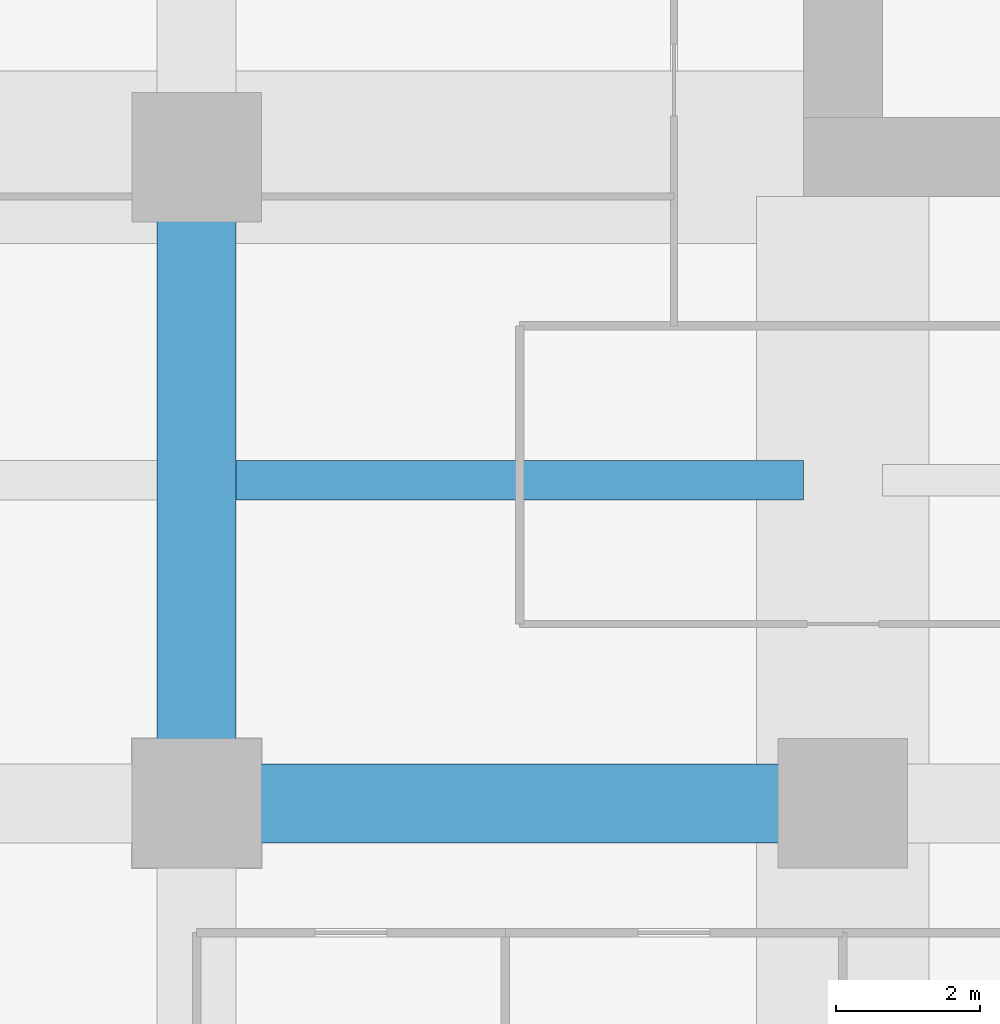
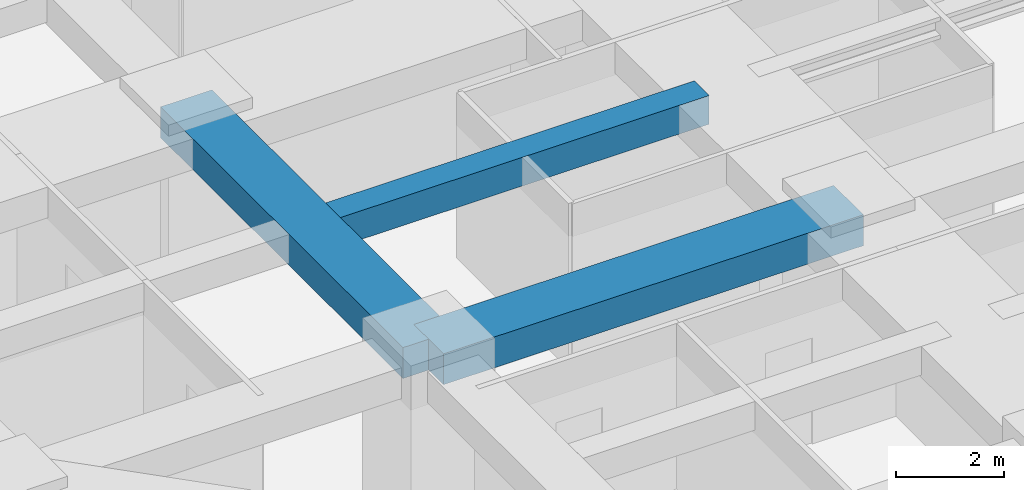
# One storey, part 5 of 43: 3 beams.
"""IFC4 building model written with IfcOpenShell, lengths in metres."""

from ifc_helpers import new_model, si_unit, direction, frame, origin, origin_2d, place, context, subcontext, project, spatial, rectangle, extrude, material, material_profile, profile_set, type_object, element, save


model = new_model("IFC4")

# Units and contexts
model_context = context("Model", 3, precision=1e-05, world=origin(), true_north=direction((0.0, 1.0)))
body_context = subcontext(model_context, "Body", "Model", "MODEL_VIEW")
ifc_project = project(units=[si_unit("LENGTHUNIT", "METRE"), si_unit("AREAUNIT", "SQUARE_METRE"), si_unit("VOLUMEUNIT", "CUBIC_METRE"), si_unit("PLANEANGLEUNIT", "RADIAN"), si_unit("MASSUNIT", "GRAM", prefix="KILO")], contexts=[model_context])

# Site, building, storey
site_placement = place(None, origin())
site = spatial("IfcSite", under=ifc_project, at=site_placement, CompositionType="ELEMENT")
building_placement = place(site_placement, origin())
building = spatial("IfcBuilding", under=site, at=building_placement, Name="Zorevar Civic Tower", CompositionType="ELEMENT")
storey_placement = place(building_placement, frame((0.0, 0.0, 141.0)))
storey = spatial("IfcBuildingStorey", under=building, at=storey_placement, Name="L34", CompositionType="ELEMENT", Elevation=141.0)

# Beams
ifc_material_1 = material(Name="Concrete C50/60", Category="concrete")
ifc_material_profile_1 = material_profile(ifc_material_1, rectangle(XDim=1.10009765625, YDim=0.699951171875, at=origin_2d()), Name="RC 1100x700")
ifc_profile_set_1 = profile_set([ifc_material_profile_1], Name="Concrete C50/60")
beam_type_1 = type_object("IfcBeamType", Name="Beam RC 1100x700", PredefinedType="BEAM", material=ifc_profile_set_1)
for number, where, z_axis, x_axis, name in (
    (1, (9.0, 9.0, 3.39990234375), (1.0, 0.0, 0.0), (0.0, 1.0, 0.0), "Girder L35"),
    (2, (9.0, 9.0, 3.39990234375), (0.0, 1.0, 0.0), (-1.0, 0.0, 0.0), "Girder L35"),
):
    element("IfcBeam", number, at=place(storey_placement, frame(where, z_axis=z_axis, x_axis=x_axis)), inside=storey, type_object=beam_type_1, Name=name, PredefinedType="BEAM", context=body_context, shape_type="SweptSolid", body=[
        extrude(rectangle(XDim=1.10009765625, YDim=0.699951171875, at=origin_2d()), origin(), (0.0, 0.0, 1.0), 9.0),
    ])
ifc_material_2 = material(Name="Concrete C50/60", Category="concrete")
ifc_material_profile_2 = material_profile(ifc_material_2, rectangle(XDim=0.550048828125, YDim=0.64990234375, at=origin_2d()), Name="RC 550x650")
ifc_profile_set_2 = profile_set([ifc_material_profile_2], Name="Concrete C50/60")
beam_type_2 = type_object("IfcBeamType", Name="Beam RC 550x650", PredefinedType="BEAM", material=ifc_profile_set_2)
beam_placement = place(storey_placement, frame((9.550048828125, 13.5, 3.425048828125), z_axis=(1.0, 0.0, 0.0), x_axis=(0.0, 1.0, 0.0)))
element("IfcBeam", 3, at=beam_placement, inside=storey, type_object=beam_type_2, Name="Secondary beam L35", PredefinedType="BEAM", context=body_context, shape_type="SweptSolid", body=[
    extrude(rectangle(XDim=0.550048828125, YDim=0.64990234375, at=origin_2d()), origin(), (0.0, 0.0, 1.0), 7.89990234375),
])

save(model, "model.ifc")
